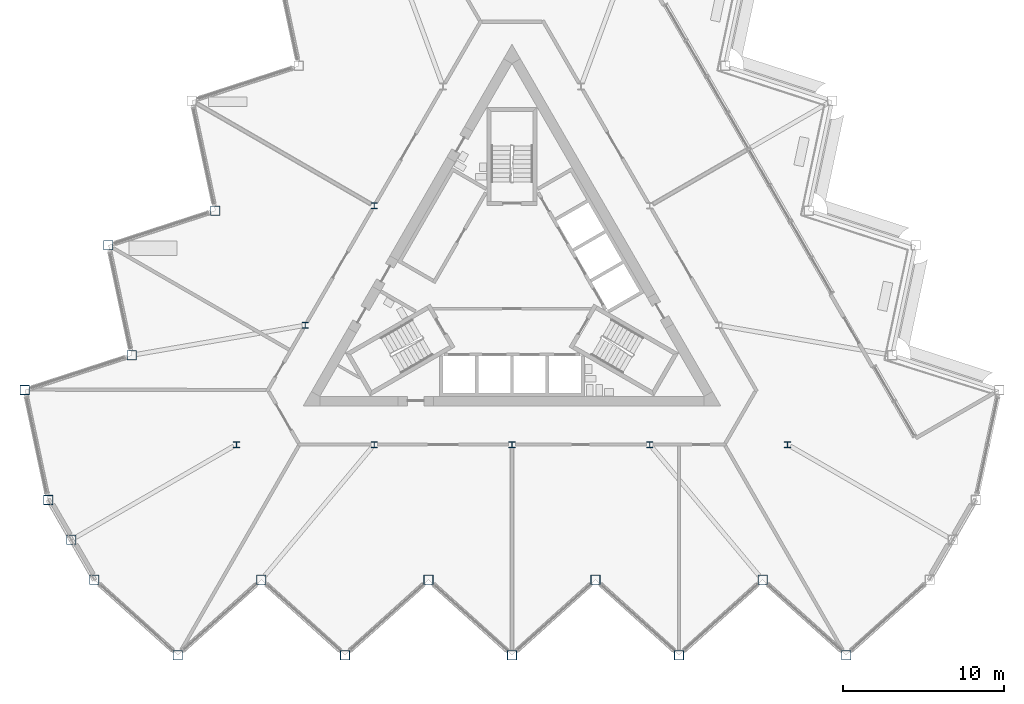
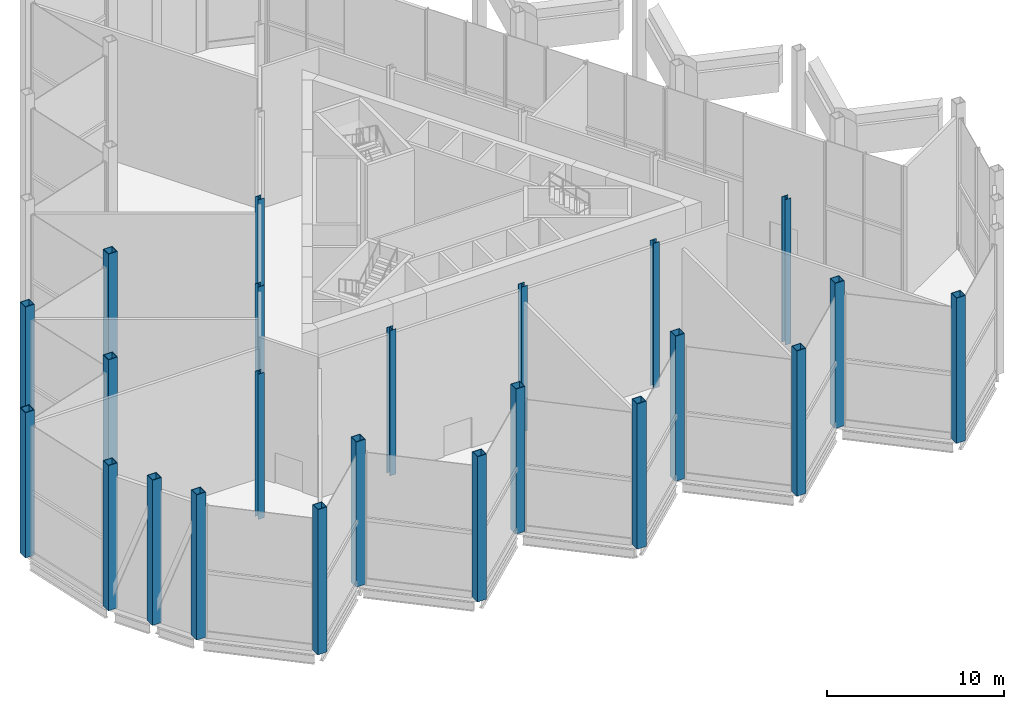
# One storey, part 1 of 18: 23 columns.
"""IFC4 building model written with IfcOpenShell, lengths in metres."""

import ifcopenshell
import ifcopenshell.guid

model = None  # the IFC model being written
_history = None  # IfcOwnerHistory: only IFC2X3 demands one
_inside = {}  # id of a spatial element -> (the spatial element, [elements in it])
_under = {}  # id of a project, library or spatial element -> (it, [spatial elements below it])
_declared = {}  # id of a project -> (the project, [libraries it declares])
_typed = {}  # id of a type object -> (the type object, [elements of that type])
_made_of = {}  # id of a material, layer set ... -> (it, [elements and type objects made of it])


def new_model(schema):
    """Start an empty IFC model of exactly this schema.

    Asked for "IFC4X3", IfcOpenShell would pick the latest addendum, in which some entities
    have other attributes; the version numbers below select the first issue.
    IFC2X3 requires an IfcOwnerHistory on every rooted entity: one is made here for all.
    """
    global model, _history
    if schema == "IFC4X3":
        model = ifcopenshell.file(schema_version=(4, 3, 0, 0))
    else:
        model = ifcopenshell.file(schema=schema)
    _inside.clear()
    _under.clear()
    _declared.clear()
    _typed.clear()
    _made_of.clear()
    _history = None
    if model.schema == "IFC2X3":
        org = make("IfcOrganization", Name="unknown")
        user = make(
            "IfcPersonAndOrganization",
            ThePerson=make("IfcPerson", FamilyName="unknown"),
            TheOrganization=org,
        )
        app = make(
            "IfcApplication",
            ApplicationDeveloper=org,
            Version="unknown",
            ApplicationFullName="unknown",
            ApplicationIdentifier="unknown",
        )
        _history = make(
            "IfcOwnerHistory",
            OwningUser=user,
            OwningApplication=app,
            ChangeAction="ADDED",
            CreationDate=0,
        )
    return model


def make(cls, **values):
    """One entity of the class cls with the attributes given. An attribute that is None is left unset."""
    return model.create_entity(
        cls, **{name: value for name, value in values.items() if value is not None}
    )


def rooted(cls, **values):
    """An entity with a GlobalId (a new one), such as an element, a storey or a relation."""
    return make(cls, GlobalId=ifcopenshell.guid.new(), OwnerHistory=_history, **values)


def si_unit(unit_type, name, prefix=None):
    """IfcSIUnit, for example si_unit("LENGTHUNIT", "METRE", prefix="MILLI")."""
    return make("IfcSIUnit", UnitType=unit_type, Prefix=prefix, Name=name)


def assignment(units):
    """IfcUnitAssignment: the units of a project."""
    return None if units is None else make("IfcUnitAssignment", Units=units)


def point(xyz):
    """IfcCartesianPoint."""
    return None if xyz is None else make("IfcCartesianPoint", Coordinates=xyz)


def direction(xyz):
    """IfcDirection."""
    return None if xyz is None else make("IfcDirection", DirectionRatios=xyz)


def frame(location, z_axis=None, x_axis=None):
    """IfcAxis2Placement3D, a coordinate frame: its origin and axes. An axis left out is left unset."""
    return make(
        "IfcAxis2Placement3D",
        Location=point(location),
        Axis=direction(z_axis),
        RefDirection=direction(x_axis),
    )


def frame_2d(location, x_axis=None):
    """IfcAxis2Placement2D, a coordinate frame in the plane: its origin and x axis."""
    return make(
        "IfcAxis2Placement2D", Location=point(location), RefDirection=direction(x_axis)
    )


def origin():
    """The frame at (0, 0, 0) with its axes left unset."""
    return frame((0.0, 0.0, 0.0))


def origin_2d():
    """The frame at (0, 0) in the plane with its x axis left unset."""
    return frame_2d((0.0, 0.0))


def place(relative_to, where):
    """IfcLocalPlacement: puts the frame where relative to a parent placement (None: the world)."""
    return make(
        "IfcLocalPlacement", PlacementRelTo=relative_to, RelativePlacement=where
    )


def context(
    kind, dimensions, precision=None, world=None, true_north=None, identifier=None
):
    """IfcGeometricRepresentationContext, for example the 3D "Model" context."""
    return make(
        "IfcGeometricRepresentationContext",
        ContextIdentifier=identifier,
        ContextType=kind,
        CoordinateSpaceDimension=dimensions,
        Precision=precision,
        WorldCoordinateSystem=world,
        TrueNorth=true_north,
    )


def subcontext(parent, identifier, kind, view, scale=None):
    """IfcGeometricRepresentationSubContext, for example "Body" below "Model"."""
    return make(
        "IfcGeometricRepresentationSubContext",
        ContextIdentifier=identifier,
        ContextType=kind,
        ParentContext=parent,
        TargetScale=scale,
        TargetView=view,
    )


def project(units=None, contexts=None):
    """IfcProject with its units and contexts."""
    return rooted(
        "IfcProject",
        Name="project",
        RepresentationContexts=contexts,
        UnitsInContext=assignment(units),
    )


def spatial(cls, under=None, at=None, **own):
    """A site, building, storey or space (cls), placed at a placement, below another one or the project."""
    s = rooted(cls, ObjectPlacement=at, **own)
    if under is not None:
        _under.setdefault(under.id(), (under, []))[1].append(s)
    return s


def profile(cls, at=None, kind="AREA", **sizes):
    """A parametric profile (cls). Its sizes go by their IFC names, for example OverallWidth=200.0."""
    return make(cls, ProfileType=kind, Position=at, **sizes)


def hollow_rectangle(**sizes):
    """IfcRectangleHollowProfileDef."""
    return profile("IfcRectangleHollowProfileDef", **sizes)


def i_section(**sizes):
    """IfcIShapeProfileDef."""
    return profile("IfcIShapeProfileDef", **sizes)


def extrude(swept, where, along, depth):
    """IfcExtrudedAreaSolid: the profile swept, set in the frame where, extruded along a direction by depth."""
    return make(
        "IfcExtrudedAreaSolid",
        SweptArea=swept,
        Position=where,
        ExtrudedDirection=direction(along),
        Depth=depth,
    )


def shape(context_of_items, identifier, shape_type, items):
    """IfcShapeRepresentation: the items that make up one representation, for example the "Body"."""
    return make(
        "IfcShapeRepresentation",
        ContextOfItems=context_of_items,
        RepresentationIdentifier=identifier,
        RepresentationType=shape_type,
        Items=items,
    )


def material(Name=None, Category=None):
    """IfcMaterial."""
    return make("IfcMaterial", Name=Name, Category=Category)


def material_profile(
    of_material, cross_section, Name=None, Category=None, Priority=None
):
    """IfcMaterialProfile: a cross section and its material."""
    return make(
        "IfcMaterialProfile",
        Name=Name,
        Material=of_material,
        Profile=cross_section,
        Priority=Priority,
        Category=Category,
    )


def profile_set(profiles, Name=None, composite=None):
    """IfcMaterialProfileSet."""
    return make(
        "IfcMaterialProfileSet",
        Name=Name,
        MaterialProfiles=profiles,
        CompositeProfile=composite,
    )


def made_of(thing, what):
    """Note that an element or type object is made of a material, layer set ...; save() writes the relation."""
    if what is not None:
        _made_of.setdefault(what.id(), (what, []))[1].append(thing)
    return thing


def type_object(cls, material=None, **own):
    """A type object (cls), such as IfcWallType, which elements share."""
    return made_of(rooted(cls, **own), material)


def element(
    cls,
    number,
    at=None,
    inside=None,
    cuts=None,
    type_object=None,
    material=None,
    context=None,
    identifier="Body",
    shape_type=None,
    held_by="IfcProductDefinitionShape",
    body=None,
    shapes=None,
    **own,
):
    """One element of the class cls, such as IfcWall. Its Tag is "e" and its number.

    at: its placement. inside: the storey or other place that contains it. cuts: it is an
    opening in that element (IfcRelVoidsElement). A single representation is given by context,
    identifier, shape_type and body (its items); several are given by shapes. held_by: the class
    of the entity that holds the representations. save() writes the other relations.
    """
    e = rooted(cls, Tag="e%d" % number, ObjectPlacement=at, **own)
    if body is not None:
        shapes = [shape(context, identifier, shape_type, body)]
    if shapes is not None:
        e.Representation = make(held_by, Representations=shapes)
    if inside is not None:
        _inside.setdefault(inside.id(), (inside, []))[1].append(e)
    if cuts is not None:
        rooted(
            "IfcRelVoidsElement", RelatingBuildingElement=cuts, RelatedOpeningElement=e
        )
    if type_object is not None:
        _typed.setdefault(type_object.id(), (type_object, []))[1].append(e)
    return made_of(e, material)


def aggregate(whole, parts):
    """IfcRelAggregates: a whole, such as a stair, and the parts it consists of."""
    return rooted("IfcRelAggregates", RelatingObject=whole, RelatedObjects=parts)


def save(model, path):
    """Write the relations noted so far, then the file.

    IfcRelAggregates (storeys below a building ...), IfcRelContainedInSpatialStructure (elements
    in a storey), IfcRelDefinesByType, IfcRelAssociatesMaterial and IfcRelDeclares: one each for
    every whole, place, type object, material and project.
    """
    for whole, parts in _under.values():
        aggregate(whole, parts)
    for where, things in _inside.values():
        rooted(
            "IfcRelContainedInSpatialStructure",
            RelatedElements=things,
            RelatingStructure=where,
        )
    for kind, things in _typed.values():
        rooted("IfcRelDefinesByType", RelatedObjects=things, RelatingType=kind)
    for what, things in _made_of.values():
        rooted("IfcRelAssociatesMaterial", RelatedObjects=things, RelatingMaterial=what)
    for by, libraries in _declared.values():
        rooted("IfcRelDeclares", RelatingContext=by, RelatedDefinitions=libraries)
    model.write(path)


model = new_model("IFC4")

# Units and contexts
model_context = context("Model", 3, precision=1e-05, world=origin(), true_north=direction((0.0, 1.0)))
body_context = subcontext(model_context, "Body", "Model", "MODEL_VIEW")
ifc_project = project(units=[si_unit("LENGTHUNIT", "METRE"), si_unit("AREAUNIT", "SQUARE_METRE"), si_unit("VOLUMEUNIT", "CUBIC_METRE"), si_unit("PLANEANGLEUNIT", "RADIAN"), si_unit("MASSUNIT", "GRAM", prefix="KILO")], contexts=[model_context])

# Site, building, storey
site_placement = place(None, origin())
site = spatial("IfcSite", under=ifc_project, at=site_placement, CompositionType="ELEMENT")
building_placement = place(site_placement, origin())
building = spatial("IfcBuilding", under=site, at=building_placement, Name="Cormorant Prow Tower", CompositionType="ELEMENT")
storey_placement = place(building_placement, frame((0.0, 0.0, 346.0)))
storey = spatial("IfcBuildingStorey", under=building, at=storey_placement, Name="L78", CompositionType="ELEMENT", Elevation=346.0)

# Columns
ifc_material_1 = material(Name="Structural steel ASTM A572 Gr 50", Category="steel")
ifc_material_profile_1 = material_profile(ifc_material_1, hollow_rectangle(XDim=0.60009765625, YDim=0.60009765625, WallThickness=0.0400390625, at=origin_2d()), Name="Box 600x600x40")
ifc_profile_set_1 = profile_set([ifc_material_profile_1], Name="Structural steel ASTM A572 Gr 50")
column_type_1 = type_object("IfcColumnType", Name="Perimeter box column 600x600x40", PredefinedType="COLUMN", material=ifc_profile_set_1)
for number, where, z_axis, x_axis, name in (
    (1, (-25.995361328125, -18.326904296875, 0.0), (0.0, 0.0, 1.0), (1.0, 0.0, 0.0), "Perimeter column C6 at S00 L78"),
    (2, (-20.79638671875, -23.008056640625, 0.0), (0.0, 0.0, 1.0), (1.0, 0.0, 0.0), "Perimeter column C6 at S01 L78"),
    (3, (-15.59716796875, -18.326904296875, 0.0), (0.0, 0.0, 1.0), (1.0, 0.0, 0.0), "Perimeter column C6 at S02 L78"),
    (4, (-10.398193359375, -23.008056640625, 0.0), (0.0, 0.0, 1.0), (1.0, 0.0, 0.0), "Perimeter column C6 at S03 L78"),
    (5, (-5.198974609375, -18.326904296875, 0.0), (0.0, 0.0, 1.0), (1.0, 0.0, 0.0), "Perimeter column C6 at S04 L78"),
    (6, (0.0, -23.008056640625, 0.0), (0.0, 0.0, 1.0), (1.0, 0.0, 0.0), "Perimeter column C6 at S05 L78"),
    (7, (5.198974609375, -18.326904296875, 0.0), (0.0, 0.0, 1.0), (1.0, 0.0, 0.0), "Perimeter column C6 at S06 L78"),
    (8, (10.398193359375, -23.008056640625, 0.0), (0.0, 0.0, 1.0), (1.0, 0.0, 0.0), "Perimeter column C6 at S07 L78"),
    (9, (15.59716796875, -18.326904296875, 0.0), (0.0, 0.0, 1.0), (1.0, 0.0, 0.0), "Perimeter column C6 at S08 L78"),
    (10, (20.79638671875, -23.008056640625, 0.0), (0.0, 0.0, 1.0), (1.0, 0.0, 0.0), "Perimeter column C6 at S09 L78"),
    (11, (-18.470947265625, 4.660888671875, 0.0), (0.0, 0.0, 1.0), (1.0, 0.0, 0.0), "Perimeter column C6 at WNW06 L78"),
    (12, (-25.124755859375, 2.4990234375, 0.0), (0.0, 0.0, 1.0), (1.0, 0.0, 0.0), "Perimeter column C6 at WNW07 L78"),
    (13, (-23.670166015625, -4.34423828125, 0.0), (0.0, 0.0, 1.0), (1.0, 0.0, 0.0), "Perimeter column C6 at WNW08 L78"),
    (14, (-30.32373046875, -6.506103515625, 0.0), (0.0, 0.0, 1.0), (1.0, 0.0, 0.0), "Perimeter column C6 at WNW09 L78"),
    (15, (-28.869140625, -13.349365234375, 0.0), (0.0, 0.0, 1.0), (1.0, 0.0, 0.0), "Perimeter column C6 at WSW00 L78"),
    (16, (-27.432373046875, -15.838134765625, 0.0), (0.0, 0.0, 1.0), (1.0, 0.0, 0.0), "Perimeter column C6 at WSW01 L78"),
):
    element("IfcColumn", number, at=place(storey_placement, frame(where, z_axis=z_axis, x_axis=x_axis)), inside=storey, type_object=column_type_1, Name=name, PredefinedType="COLUMN", context=body_context, shape_type="SweptSolid", body=[
        extrude(hollow_rectangle(XDim=0.60009765625, YDim=0.60009765625, WallThickness=0.0400390625, at=origin_2d()), origin(), (0.0, 0.0, 1.0), 10.0),
    ])
ifc_material_2 = material(Name="Structural steel ASTM A992 Gr 50", Category="steel")
ifc_material_profile_2 = material_profile(ifc_material_2, i_section(OverallWidth=0.3955078125, OverallDepth=0.380615234375, WebThickness=0.018798828125, FlangeThickness=0.0302734375, at=origin_2d()), Name="W14x159")
ifc_profile_set_2 = profile_set([ifc_material_profile_2], Name="Structural steel ASTM A992 Gr 50")
column_type_2 = type_object("IfcColumnType", Name="Ring column W14x159", PredefinedType="COLUMN", material=ifc_profile_set_2)
for number, where, z_axis, x_axis, name in (
    (17, (-8.578369140625, 4.952880859375, 0.0), (0.0, 0.0, 1.0), (1.0, 0.0, 0.0), "Ring column 3 L78"),
    (18, (-12.86767578125, -2.476318359375, 0.0), (0.0, 0.0, 1.0), (1.0, 0.0, 0.0), "Ring column 4 L78"),
    (19, (-17.156982421875, -9.905517578125, 0.0), (0.0, 0.0, 1.0), (1.0, 0.0, 0.0), "Ring column 5 L78"),
    (20, (-8.578369140625, -9.905517578125, 0.0), (0.0, 0.0, 1.0), (1.0, 0.0, 0.0), "Ring column 6 L78"),
    (21, (0.0, -9.905517578125, 0.0), (0.0, 0.0, 1.0), (1.0, 0.0, 0.0), "Ring column 7 L78"),
    (22, (8.578369140625, -9.905517578125, 0.0), (0.0, 0.0, 1.0), (1.0, 0.0, 0.0), "Ring column 8 L78"),
    (23, (17.156982421875, -9.905517578125, 0.0), (0.0, 0.0, 1.0), (1.0, 0.0, 0.0), "Ring column 9 L78"),
):
    element("IfcColumn", number, at=place(storey_placement, frame(where, z_axis=z_axis, x_axis=x_axis)), inside=storey, type_object=column_type_2, Name=name, PredefinedType="COLUMN", context=body_context, shape_type="SweptSolid", body=[
        extrude(i_section(OverallWidth=0.3955078125, OverallDepth=0.380615234375, WebThickness=0.018798828125, FlangeThickness=0.0302734375, at=origin_2d()), origin(), (0.0, 0.0, 1.0), 10.0),
    ])

save(model, "model.ifc")
